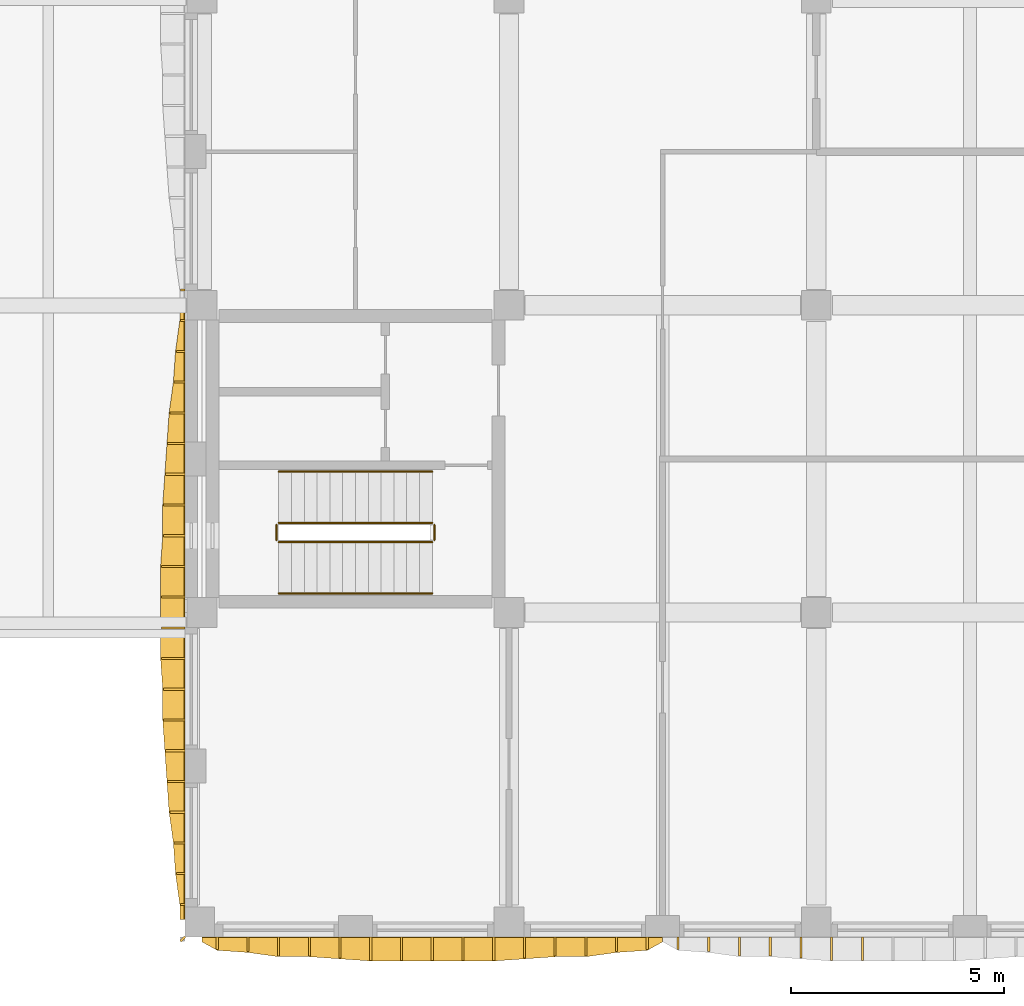
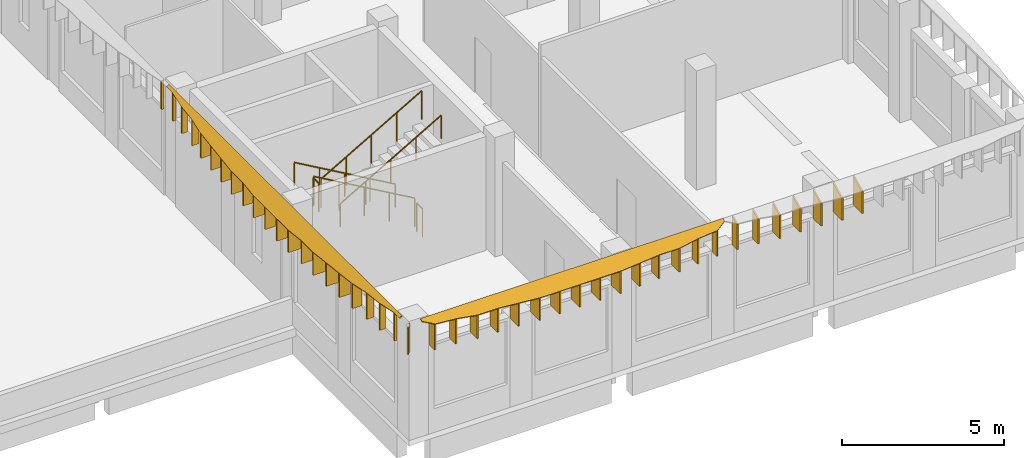
# One storey, part 24 of 44: 46 shading devices, 6 railings.
"""IFC4 building model written with IfcOpenShell, lengths in metres."""

from ifc_helpers import new_model, si_unit, direction, frame, origin, origin_2d, place, context, subcontext, project, spatial, polyline, circle, outline, extrude, material, layer, layer_set, type_object, element, save


model = new_model("IFC4")

# Units and contexts
model_context = context("Model", 3, precision=1e-05, world=origin(), true_north=direction((0.0, 1.0)))
body_context = subcontext(model_context, "Body", "Model", "MODEL_VIEW")
ifc_project = project(units=[si_unit("LENGTHUNIT", "METRE"), si_unit("AREAUNIT", "SQUARE_METRE"), si_unit("VOLUMEUNIT", "CUBIC_METRE"), si_unit("PLANEANGLEUNIT", "RADIAN"), si_unit("MASSUNIT", "GRAM", prefix="KILO")], contexts=[model_context])

# Site, building, storey
site_placement = place(None, origin())
site = spatial("IfcSite", under=ifc_project, at=site_placement, CompositionType="ELEMENT")
building_placement = place(site_placement, origin())
building = spatial("IfcBuilding", under=site, at=building_placement, Name="Ussher Court Research Institute", CompositionType="ELEMENT")
storey_placement = place(building_placement, frame((0.0, 0.0, 18.89990234375)))
storey = spatial("IfcBuildingStorey", under=building, at=storey_placement, Name="L04", CompositionType="ELEMENT", Elevation=18.89990234375)

# Shading devices
ifc_material_1 = material(Name="Bronze anodised aluminium", Category="aluminium")
ifc_layer_1 = layer(ifc_material_1, 0.050048828125)
ifc_layer_set_1 = layer_set([ifc_layer_1], Name="Bronze anodised aluminium")
shading_device_type_1 = type_object("IfcShadingDeviceType", Name="Brim blade 100 mm deep 1100 mm high canted 26 deg wet", PredefinedType="USERDEFINED", material=ifc_layer_set_1)
for number, where, z_axis, x_axis, name in (
    (1, (81.800048828125, 4.360107421875, 3.35009765625), (0.0, 0.0, 1.0), (-1.0, 0.0, 0.0), "Brim blade BS10 L04"),
    (2, (81.800048828125, 18.0400390625, 3.35009765625), (0.0, 0.0, 1.0), (-1.0, 0.0, 0.0), "Brim blade BS10 L04"),
    (3, (81.800048828125, 18.760009765625, 3.35009765625), (0.0, 0.0, 1.0), (-1.0, 0.0, 0.0), "Brim blade BS10 L04"),
):
    element("IfcShadingDevice", number, at=place(storey_placement, frame(where, z_axis=z_axis, x_axis=x_axis)), inside=storey, type_object=shading_device_type_1, Name=name, ObjectType="BLADE", PredefinedType="USERDEFINED", context=body_context, shape_type="SweptSolid", body=[
        extrude(outline(polyline([(0.0, 0.0), (0.10009765625, 0.0), (0.10009765625, 1.05126953125), (0.0, 1.10009765625), (0.0, 0.0)])), frame((0.0, 0.02490234375, 0.0), z_axis=(0.0, -1.0, 0.0), x_axis=(1.0, 0.0, 0.0)), (0.0, 0.0, 1.0), 0.050048828125),
    ])
ifc_material_2 = material(Name="Bronze anodised aluminium", Category="aluminium")
ifc_layer_2 = layer(ifc_material_2, 0.050048828125)
ifc_layer_set_2 = layer_set([ifc_layer_2], Name="Bronze anodised aluminium")
shading_device_type_2 = type_object("IfcShadingDeviceType", Name="Brim blade 200 mm deep 1100 mm high canted 26 deg wet", PredefinedType="USERDEFINED", material=ifc_layer_set_2)
for number, where, z_axis, x_axis, name in (
    (4, (81.800048828125, 5.080078125, 3.35009765625), (0.0, 0.0, 1.0), (-1.0, 0.0, 0.0), "Brim blade BS08 L04"),
    (5, (81.800048828125, 17.320068359375, 3.35009765625), (0.0, 0.0, 1.0), (-1.0, 0.0, 0.0), "Brim blade BS08 L04"),
):
    element("IfcShadingDevice", number, at=place(storey_placement, frame(where, z_axis=z_axis, x_axis=x_axis)), inside=storey, type_object=shading_device_type_2, Name=name, ObjectType="BLADE", PredefinedType="USERDEFINED", context=body_context, shape_type="SweptSolid", body=[
        extrude(outline(polyline([(0.0, 0.0), (0.199951171875, 0.0), (0.199951171875, 1.00244140625), (0.0, 1.10009765625), (0.0, 0.0)])), frame((0.0, 0.02490234375, 0.0), z_axis=(0.0, -1.0, 0.0), x_axis=(1.0, 0.0, 0.0)), (0.0, 0.0, 1.0), 0.050048828125),
    ])
ifc_material_3 = material(Name="Bronze anodised aluminium", Category="aluminium")
ifc_layer_3 = layer(ifc_material_3, 0.050048828125)
ifc_layer_set_3 = layer_set([ifc_layer_3], Name="Bronze anodised aluminium")
shading_device_type_3 = type_object("IfcShadingDeviceType", Name="Brim blade 250 mm deep 1100 mm high canted 26 deg wet", PredefinedType="USERDEFINED", material=ifc_layer_set_3)
for number, where, z_axis, x_axis, name in (
    (6, (81.800048828125, 5.800048828125, 3.35009765625), (0.0, 0.0, 1.0), (-1.0, 0.0, 0.0), "Brim blade BS07 L04"),
    (7, (81.800048828125, 16.60009765625, 3.35009765625), (0.0, 0.0, 1.0), (-1.0, 0.0, 0.0), "Brim blade BS07 L04"),
):
    element("IfcShadingDevice", number, at=place(storey_placement, frame(where, z_axis=z_axis, x_axis=x_axis)), inside=storey, type_object=shading_device_type_3, Name=name, ObjectType="BLADE", PredefinedType="USERDEFINED", context=body_context, shape_type="SweptSolid", body=[
        extrude(outline(polyline([(0.0, 0.0), (0.25, 0.0), (0.25, 0.97802734375), (0.0, 1.10009765625), (0.0, 0.0)])), frame((0.0, 0.02490234375, 0.0), z_axis=(0.0, -1.0, 0.0), x_axis=(1.0, 0.0, 0.0)), (0.0, 0.0, 1.0), 0.050048828125),
    ])
ifc_material_4 = material(Name="Bronze anodised aluminium", Category="aluminium")
ifc_layer_4 = layer(ifc_material_4, 0.050048828125)
ifc_layer_set_4 = layer_set([ifc_layer_4], Name="Bronze anodised aluminium")
shading_device_type_4 = type_object("IfcShadingDeviceType", Name="Brim blade 300 mm deep 1100 mm high canted 26 deg wet", PredefinedType="USERDEFINED", material=ifc_layer_set_4)
for number, where, z_axis, x_axis, name in (
    (8, (93.360107421875, 3.60009765625, 3.35009765625), (0.0, 0.0, 1.0), (0.0, -1.0, 0.0), "Brim blade BS06 L04"),
    (9, (92.639892578125, 3.60009765625, 3.35009765625), (0.0, 0.0, 1.0), (0.0, -1.0, 0.0), "Brim blade BS06 L04"),
    (10, (82.56005859375, 3.60009765625, 3.35009765625), (0.0, 0.0, 1.0), (0.0, -1.0, 0.0), "Brim blade BS06 L04"),
):
    element("IfcShadingDevice", number, at=place(storey_placement, frame(where, z_axis=z_axis, x_axis=x_axis)), inside=storey, type_object=shading_device_type_4, Name=name, ObjectType="BLADE", PredefinedType="USERDEFINED", context=body_context, shape_type="SweptSolid", body=[
        extrude(outline(polyline([(0.0, 0.0), (0.300048828125, 0.0), (0.300048828125, 0.95361328125), (0.0, 1.10009765625), (0.0, 0.0)])), frame((0.0, 0.02490234375, 0.0), z_axis=(0.0, -1.0, 0.0), x_axis=(1.0, 0.0, 0.0)), (0.0, 0.0, 1.0), 0.050048828125),
    ])
ifc_material_5 = material(Name="Bronze anodised aluminium", Category="aluminium")
ifc_layer_5 = layer(ifc_material_5, 0.050048828125)
ifc_layer_set_5 = layer_set([ifc_layer_5], Name="Bronze anodised aluminium")
shading_device_type_5 = type_object("IfcShadingDeviceType", Name="Brim blade 350 mm deep 1100 mm high canted 26 deg wet", PredefinedType="USERDEFINED", material=ifc_layer_set_5)
for number, where, z_axis, x_axis, name in (
    (11, (94.080078125, 3.60009765625, 3.35009765625), (0.0, 0.0, 1.0), (0.0, -1.0, 0.0), "Brim blade BS05 L04"),
    (12, (91.919921875, 3.60009765625, 3.35009765625), (0.0, 0.0, 1.0), (0.0, -1.0, 0.0), "Brim blade BS05 L04"),
    (13, (83.280029296875, 3.60009765625, 3.35009765625), (0.0, 0.0, 1.0), (0.0, -1.0, 0.0), "Brim blade BS05 L04"),
    (14, (81.800048828125, 6.52001953125, 3.35009765625), (0.0, 0.0, 1.0), (-1.0, 0.0, 0.0), "Brim blade BS05 L04"),
    (15, (81.800048828125, 15.8798828125, 3.35009765625), (0.0, 0.0, 1.0), (-1.0, 0.0, 0.0), "Brim blade BS05 L04"),
):
    element("IfcShadingDevice", number, at=place(storey_placement, frame(where, z_axis=z_axis, x_axis=x_axis)), inside=storey, type_object=shading_device_type_5, Name=name, ObjectType="BLADE", PredefinedType="USERDEFINED", context=body_context, shape_type="SweptSolid", body=[
        extrude(outline(polyline([(0.0, 0.0), (0.35009765625, 0.0), (0.35009765625, 0.92919921875), (0.0, 1.10009765625), (0.0, 0.0)])), frame((0.0, 0.02490234375, 0.0), z_axis=(0.0, -1.0, 0.0), x_axis=(1.0, 0.0, 0.0)), (0.0, 0.0, 1.0), 0.050048828125),
    ])
ifc_material_6 = material(Name="Bronze anodised aluminium", Category="aluminium")
ifc_layer_6 = layer(ifc_material_6, 0.050048828125)
ifc_layer_set_6 = layer_set([ifc_layer_6], Name="Bronze anodised aluminium")
shading_device_type_6 = type_object("IfcShadingDeviceType", Name="Brim blade 400 mm deep 1100 mm high canted 26 deg wet", PredefinedType="USERDEFINED", material=ifc_layer_set_6)
for number, where, z_axis, x_axis, name in (
    (16, (81.800048828125, 7.239990234375, 3.35009765625), (0.0, 0.0, 1.0), (-1.0, 0.0, 0.0), "Brim blade BS04 L04"),
    (17, (81.800048828125, 15.159912109375, 3.35009765625), (0.0, 0.0, 1.0), (-1.0, 0.0, 0.0), "Brim blade BS04 L04"),
):
    element("IfcShadingDevice", number, at=place(storey_placement, frame(where, z_axis=z_axis, x_axis=x_axis)), inside=storey, type_object=shading_device_type_6, Name=name, ObjectType="BLADE", PredefinedType="USERDEFINED", context=body_context, shape_type="SweptSolid", body=[
        extrude(outline(polyline([(0.0, 0.0), (0.400146484375, 0.0), (0.39990234375, 0.90478515625), (0.0, 1.10009765625), (0.0, 0.0)])), frame((0.0, 0.02490234375, 0.0), z_axis=(0.0, -1.0, 0.0), x_axis=(1.0, 0.0, 0.0)), (0.0, 0.0, 1.0), 0.050048828125),
    ])
ifc_material_7 = material(Name="Bronze anodised aluminium", Category="aluminium")
ifc_layer_7 = layer(ifc_material_7, 0.050048828125)
ifc_layer_set_7 = layer_set([ifc_layer_7], Name="Bronze anodised aluminium")
shading_device_type_7 = type_object("IfcShadingDeviceType", Name="Brim blade 450 mm deep 1100 mm high canted 26 deg wet", PredefinedType="USERDEFINED", material=ifc_layer_set_7)
for number, where, z_axis, x_axis, name in (
    (18, (95.52001953125, 3.60009765625, 3.35009765625), (0.0, 0.0, 1.0), (0.0, -1.0, 0.0), "Brim blade BS03 L04"),
    (19, (94.800048828125, 3.60009765625, 3.35009765625), (0.0, 0.0, 1.0), (0.0, -1.0, 0.0), "Brim blade BS03 L04"),
    (20, (91.199951171875, 3.60009765625, 3.35009765625), (0.0, 0.0, 1.0), (0.0, -1.0, 0.0), "Brim blade BS03 L04"),
    (21, (90.47998046875, 3.60009765625, 3.35009765625), (0.0, 0.0, 1.0), (0.0, -1.0, 0.0), "Brim blade BS03 L04"),
    (22, (84.719970703125, 3.60009765625, 3.35009765625), (0.0, 0.0, 1.0), (0.0, -1.0, 0.0), "Brim blade BS03 L04"),
    (23, (84.0, 3.60009765625, 3.35009765625), (0.0, 0.0, 1.0), (0.0, -1.0, 0.0), "Brim blade BS03 L04"),
):
    element("IfcShadingDevice", number, at=place(storey_placement, frame(where, z_axis=z_axis, x_axis=x_axis)), inside=storey, type_object=shading_device_type_7, Name=name, ObjectType="BLADE", PredefinedType="USERDEFINED", context=body_context, shape_type="SweptSolid", body=[
        extrude(outline(polyline([(0.0, 0.0), (0.4501953125, 0.0), (0.449951171875, 0.880615234375), (0.0, 1.10009765625), (0.0, 0.0)])), frame((0.0, 0.02490234375, 0.0), z_axis=(0.0, -1.0, 0.0), x_axis=(1.0, 0.0, 0.0)), (0.0, 0.0, 1.0), 0.050048828125),
    ])
for number, where, z_axis, x_axis, name in (
    (24, (81.800048828125, 7.9599609375, 3.35009765625), (0.0, 0.0, 1.0), (-1.0, 0.0, 0.0), "Brim blade BS03 L04"),
    (25, (81.800048828125, 14.43994140625, 3.35009765625), (0.0, 0.0, 1.0), (-1.0, 0.0, 0.0), "Brim blade BS03 L04"),
):
    element("IfcShadingDevice", number, at=place(storey_placement, frame(where, z_axis=z_axis, x_axis=x_axis)), inside=storey, type_object=shading_device_type_7, Name=name, ObjectType="BLADE", PredefinedType="USERDEFINED", context=body_context, shape_type="SweptSolid", body=[
        extrude(outline(polyline([(0.0, 0.0), (0.449951171875, 0.0), (0.449951171875, 0.880615234375), (0.0, 1.10009765625), (0.0, 0.0)])), frame((0.0, 0.02490234375, 0.0), z_axis=(0.0, -1.0, 0.0), x_axis=(1.0, 0.0, 0.0)), (0.0, 0.0, 1.0), 0.050048828125),
    ])
ifc_material_8 = material(Name="Bronze anodised aluminium", Category="aluminium")
ifc_layer_8 = layer(ifc_material_8, 0.050048828125)
ifc_layer_set_8 = layer_set([ifc_layer_8], Name="Bronze anodised aluminium")
shading_device_type_8 = type_object("IfcShadingDeviceType", Name="Brim blade 500 mm deep 1100 mm high canted 26 deg wet", PredefinedType="USERDEFINED", material=ifc_layer_set_8)
for number, where, z_axis, x_axis, name in (
    (26, (96.239990234375, 3.60009765625, 3.35009765625), (0.0, 0.0, 1.0), (0.0, -1.0, 0.0), "Brim blade BS02 L04"),
    (27, (89.760009765625, 3.60009765625, 3.35009765625), (0.0, 0.0, 1.0), (0.0, -1.0, 0.0), "Brim blade BS02 L04"),
    (28, (85.43994140625, 3.60009765625, 3.35009765625), (0.0, 0.0, 1.0), (0.0, -1.0, 0.0), "Brim blade BS02 L04"),
    (29, (81.800048828125, 8.679931640625, 3.35009765625), (0.0, 0.0, 1.0), (-1.0, 0.0, 0.0), "Brim blade BS02 L04"),
    (30, (81.800048828125, 9.39990234375, 3.35009765625), (0.0, 0.0, 1.0), (-1.0, 0.0, 0.0), "Brim blade BS02 L04"),
    (31, (81.800048828125, 13.0, 3.35009765625), (0.0, 0.0, 1.0), (-1.0, 0.0, 0.0), "Brim blade BS02 L04"),
    (32, (81.800048828125, 13.719970703125, 3.35009765625), (0.0, 0.0, 1.0), (-1.0, 0.0, 0.0), "Brim blade BS02 L04"),
):
    element("IfcShadingDevice", number, at=place(storey_placement, frame(where, z_axis=z_axis, x_axis=x_axis)), inside=storey, type_object=shading_device_type_8, Name=name, ObjectType="BLADE", PredefinedType="USERDEFINED", context=body_context, shape_type="SweptSolid", body=[
        extrude(outline(polyline([(0.0, 0.0), (0.5, 0.0), (0.5, 0.856201171875), (0.0, 1.10009765625), (0.0, 0.0)])), frame((0.0, 0.02490234375, 0.0), z_axis=(0.0, -1.0, 0.0), x_axis=(1.0, 0.0, 0.0)), (0.0, 0.0, 1.0), 0.050048828125),
    ])
ifc_material_9 = material(Name="Bronze anodised aluminium", Category="aluminium")
ifc_layer_9 = layer(ifc_material_9, 0.050048828125)
ifc_layer_set_9 = layer_set([ifc_layer_9], Name="Bronze anodised aluminium")
shading_device_type_9 = type_object("IfcShadingDeviceType", Name="Brim blade 550 mm deep 1100 mm high canted 26 deg wet", PredefinedType="USERDEFINED", material=ifc_layer_set_9)
for number, where, z_axis, x_axis, name in (
    (33, (97.679931640625, 3.60009765625, 3.35009765625), (0.0, 0.0, 1.0), (0.0, -1.0, 0.0), "Brim blade BS01 L04"),
    (34, (96.9599609375, 3.60009765625, 3.35009765625), (0.0, 0.0, 1.0), (0.0, -1.0, 0.0), "Brim blade BS01 L04"),
    (35, (89.0400390625, 3.60009765625, 3.35009765625), (0.0, 0.0, 1.0), (0.0, -1.0, 0.0), "Brim blade BS01 L04"),
    (36, (88.320068359375, 3.60009765625, 3.35009765625), (0.0, 0.0, 1.0), (0.0, -1.0, 0.0), "Brim blade BS01 L04"),
    (37, (87.60009765625, 3.60009765625, 3.35009765625), (0.0, 0.0, 1.0), (0.0, -1.0, 0.0), "Brim blade BS01 L04"),
    (38, (86.8798828125, 3.60009765625, 3.35009765625), (0.0, 0.0, 1.0), (0.0, -1.0, 0.0), "Brim blade BS01 L04"),
    (39, (86.159912109375, 3.60009765625, 3.35009765625), (0.0, 0.0, 1.0), (0.0, -1.0, 0.0), "Brim blade BS01 L04"),
    (40, (81.800048828125, 10.1201171875, 3.35009765625), (0.0, 0.0, 1.0), (-1.0, 0.0, 0.0), "Brim blade BS01 L04"),
    (41, (81.800048828125, 10.840087890625, 3.35009765625), (0.0, 0.0, 1.0), (-1.0, 0.0, 0.0), "Brim blade BS01 L04"),
    (42, (81.800048828125, 11.56005859375, 3.35009765625), (0.0, 0.0, 1.0), (-1.0, 0.0, 0.0), "Brim blade BS01 L04"),
    (43, (81.800048828125, 12.280029296875, 3.35009765625), (0.0, 0.0, 1.0), (-1.0, 0.0, 0.0), "Brim blade BS01 L04"),
):
    element("IfcShadingDevice", number, at=place(storey_placement, frame(where, z_axis=z_axis, x_axis=x_axis)), inside=storey, type_object=shading_device_type_9, Name=name, ObjectType="BLADE", PredefinedType="USERDEFINED", context=body_context, shape_type="SweptSolid", body=[
        extrude(outline(polyline([(0.0, 0.0), (0.550048828125, 0.0), (0.550048828125, 0.831787109375), (0.0, 1.10009765625), (0.0, 0.0)])), frame((0.0, 0.02490234375, 0.0), z_axis=(0.0, -1.0, 0.0), x_axis=(1.0, 0.0, 0.0)), (0.0, 0.0, 1.0), 0.050048828125),
    ])
ifc_material_10 = material(Name="Bronze anodised aluminium", Category="aluminium")
ifc_layer_10 = layer(ifc_material_10, 0.050048828125)
ifc_layer_set_10 = layer_set([ifc_layer_10], Name="Bronze anodised aluminium")
shading_device_type_10 = type_object("IfcShadingDeviceType", Name="Brim mitre blade 100 mm deep 1100 mm high canted 26 deg wet", PredefinedType="USERDEFINED", material=ifc_layer_set_10)
shading_device_1_placement = place(storey_placement, frame((81.800048828125, 3.60009765625, 3.35009765625), z_axis=(0.0, 0.0, 1.0), x_axis=(-0.707106781187, -0.707106781187, 0.0)))
element("IfcShadingDevice", 44, at=shading_device_1_placement, inside=storey, type_object=shading_device_type_10, Name="Brim mitre blade BS18 L04", ObjectType="BLADE", PredefinedType="USERDEFINED", context=body_context, shape_type="SweptSolid", body=[
    extrude(outline(polyline([(0.0, 0.0), (0.1416015625, 0.0), (0.141357421875, 1.00244140625), (0.0, 1.10009765625), (0.0, 0.0)])), frame((0.0, 0.02490234375, 0.0), z_axis=(0.0, -1.0, 0.0), x_axis=(1.0, 0.0, 0.0)), (0.0, 0.0, 1.0), 0.050048828125),
])
ifc_material_11 = material(Name="Bronze anodised aluminium", Category="aluminium")
ifc_layer_11 = layer(ifc_material_11, 0.0400390625)
ifc_layer_set_11 = layer_set([ifc_layer_11], Name="Bronze anodised aluminium")
shading_device_type_11 = type_object("IfcShadingDeviceType", Name="Brim visor sheet 40 mm canted 26 deg wet", PredefinedType="USERDEFINED", material=ifc_layer_set_11)
shading_device_2_placement = place(storey_placement, frame((93.0, 3.58251953125, 4.486083984375), z_axis=(0.0, -0.438461416816, 0.898750013054), x_axis=(-1.0, 0.0, 0.0)))
element("IfcShadingDevice", 45, at=shading_device_2_placement, inside=storey, type_object=shading_device_type_11, Name="Brim visor sheet BR1 L04", ObjectType="BRIM", PredefinedType="USERDEFINED", context=body_context, shape_type="SweptSolid", body=[
    extrude(outline(polyline([(0.0, 0.0), (10.800048828125, 0.0), (10.800048828125, 0.1113720187292832), (10.43994140625, 0.33389663479794396), (9.719970703125, 0.38958264416258553), (9.0, 0.5006281952576233), (8.280029296875, 0.5006281952576233), (7.56005859375, 0.5563142046222649), (6.840087890625, 0.6120002139869065), (6.1201171875, 0.6120002139869065), (5.39990234375, 0.6120002139869065), (4.679931640625, 0.6120002139869065), (3.9599609375, 0.6120002139869065), (3.239990234375, 0.5563142046222649), (2.52001953125, 0.5006281952576233), (1.800048828125, 0.5006281952576233), (1.080078125, 0.38958264416258553), (0.360107421875, 0.33389663479794396), (0.0, 0.1113720187292832), (0.0, 0.0)])), origin(), (0.0, 0.0, -1.0), 0.0400390625),
])
shading_device_3_placement = place(storey_placement, frame((81.782470703125, 4.0, 4.486083984375), z_axis=(-0.438529187419, 0.0, 0.898716947532), x_axis=(0.0, 1.0, 0.0)))
element("IfcShadingDevice", 46, at=shading_device_3_placement, inside=storey, type_object=shading_device_type_11, Name="Brim visor sheet BR1 L04", ObjectType="BRIM", PredefinedType="USERDEFINED", context=body_context, shape_type="SweptSolid", body=[
    extrude(outline(polyline([(0.0, 0.0), (14.39990234375, 0.0), (14.39990234375, 0.11115260474230423), (14.0400390625, 0.11115260474230423), (13.320068359375, 0.22252462280187707), (12.60009765625, 0.2782106318316635), (11.8798828125, 0.38936323657396776), (11.159912109375, 0.4449421828138569), (10.43994140625, 0.5006281918436433), (9.719970703125, 0.5563142008734296), (9.0, 0.5563142008734296), (8.280029296875, 0.6120002099032161), (7.56005859375, 0.6120002099032161), (6.840087890625, 0.6120002099032161), (6.1201171875, 0.6120002099032161), (5.39990234375, 0.5563142008734296), (4.679931640625, 0.5563142008734296), (3.9599609375, 0.5006281918436433), (3.239990234375, 0.4449421828138569), (2.52001953125, 0.38936323657396776), (1.800048828125, 0.2782106318316635), (1.080078125, 0.22252462280187707), (0.360107421875, 0.11115260474230423), (0.0, 0.11115260474230423), (0.0, 0.0)])), origin(), (0.0, 0.0, -1.0), 0.0400390625),
])

# Railings
ifc_material_12 = material(Name="Painted steel balustrade", Category="steel")
railing_type_1 = type_object("IfcRailingType", Name="Stair guard 1100 steel balustrade", PredefinedType="GUARDRAIL", material=ifc_material_12)
railing_1_placement = place(storey_placement, frame((87.60009765625, 13.300048828125, 0.173095703125)))
element("IfcRailing", 47, at=railing_1_placement, inside=storey, type_object=railing_type_1, Name="L04 T2 stair guard 1", PredefinedType="GUARDRAIL", context=body_context, shape_type="SweptSolid", body=[
    extrude(circle(Radius=0.02392578125, at=origin_2d()), frame((0.0, 0.0, 1.076171875), z_axis=(-0.866193409371, 0.0, 0.499708892819), x_axis=(0.0, -1.0, 0.0)), (0.0, 0.0, 1.0), 4.15625),
    extrude(circle(Radius=0.02099609375, at=origin_2d()), origin(), (0.0, 0.0, 1.0), 1.052001953125),
    extrude(circle(Radius=0.02099609375, at=origin_2d()), frame((-0.89990234375, 0.0, 0.519287109375)), (0.0, 0.0, 1.0), 1.052001953125),
    extrude(circle(Radius=0.02099609375, at=origin_2d()), frame((-1.800048828125, 0.0, 1.03857421875)), (0.0, 0.0, 1.0), 1.052001953125),
    extrude(circle(Radius=0.02099609375, at=origin_2d()), frame((-2.7001953125, 0.0, 1.5576171875)), (0.0, 0.0, 1.0), 1.052001953125),
    extrude(circle(Radius=0.02099609375, at=origin_2d()), frame((-3.60009765625, 0.0, 2.076904296875)), (0.0, 0.0, 1.0), 1.052001953125),
])
railing_2_placement = place(storey_placement, frame((83.949951171875, 13.25, 2.25)))
element("IfcRailing", 48, at=railing_2_placement, inside=storey, type_object=railing_type_1, Name="L04 T2 stair guard 2", PredefinedType="GUARDRAIL", context=body_context, shape_type="SweptSolid", body=[
    extrude(circle(Radius=0.02392578125, at=origin_2d()), frame((0.0, 0.0, 1.076171875), z_axis=(0.0, -1.0, 0.0), x_axis=(1.0, 0.0, 0.0)), (0.0, 0.0, 1.0), 0.35009765625),
    extrude(circle(Radius=0.02099609375, at=origin_2d()), origin(), (0.0, 0.0, 1.0), 1.052001953125),
    extrude(circle(Radius=0.02099609375, at=origin_2d()), frame((0.0, -0.35009765625, 0.0)), (0.0, 0.0, 1.0), 1.052001953125),
])
railing_3_placement = place(storey_placement, frame((84.0, 12.85009765625, 2.423095703125)))
element("IfcRailing", 49, at=railing_3_placement, inside=storey, type_object=railing_type_1, Name="L04 T2 stair guard 3", PredefinedType="GUARDRAIL", context=body_context, shape_type="SweptSolid", body=[
    extrude(circle(Radius=0.02392578125, at=origin_2d()), frame((0.0, 0.0, 1.076171875), z_axis=(0.866193409371, 0.0, 0.499708892819), x_axis=(0.0, 1.0, 0.0)), (0.0, 0.0, 1.0), 4.15625),
    extrude(circle(Radius=0.02099609375, at=origin_2d()), origin(), (0.0, 0.0, 1.0), 1.052001953125),
    extrude(circle(Radius=0.02099609375, at=origin_2d()), frame((0.89990234375, 0.0, 0.519287109375)), (0.0, 0.0, 1.0), 1.052001953125),
    extrude(circle(Radius=0.02099609375, at=origin_2d()), frame((1.800048828125, 0.0, 1.03857421875)), (0.0, 0.0, 1.0), 1.052001953125),
    extrude(circle(Radius=0.02099609375, at=origin_2d()), frame((2.7001953125, 0.0, 1.5576171875)), (0.0, 0.0, 1.0), 1.052001953125),
    extrude(circle(Radius=0.02099609375, at=origin_2d()), frame((3.60009765625, 0.0, 2.076904296875)), (0.0, 0.0, 1.0), 1.052001953125),
])
railing_4_placement = place(storey_placement, frame((87.64990234375, 13.25, 0.0)))
element("IfcRailing", 50, at=railing_4_placement, inside=storey, type_object=railing_type_1, Name="L04 T2 stair guard 4", PredefinedType="GUARDRAIL", context=body_context, shape_type="SweptSolid", body=[
    extrude(circle(Radius=0.02392578125, at=origin_2d()), frame((0.0, 0.0, 1.076171875), z_axis=(0.0, -1.0, 0.0), x_axis=(1.0, 0.0, 0.0)), (0.0, 0.0, 1.0), 0.35009765625),
    extrude(circle(Radius=0.02099609375, at=origin_2d()), origin(), (0.0, 0.0, 1.0), 1.052001953125),
    extrude(circle(Radius=0.02099609375, at=origin_2d()), frame((0.0, -0.35009765625, 0.0)), (0.0, 0.0, 1.0), 1.052001953125),
])
ifc_material_13 = material(Name="Painted steel handrail", Category="steel")
railing_type_2 = type_object("IfcRailingType", Name="Stair handrail 900 steel", PredefinedType="HANDRAIL", material=ifc_material_13)
railing_5_placement = place(storey_placement, frame((87.60009765625, 14.5, 0.173095703125)))
element("IfcRailing", 51, at=railing_5_placement, inside=storey, type_object=railing_type_2, Name="L04 T2 stair handrail 1", PredefinedType="HANDRAIL", context=body_context, shape_type="SweptSolid", body=[
    extrude(circle(Radius=0.02392578125, at=origin_2d()), frame((0.0, 0.0, 0.8759765625), z_axis=(-0.866193409371, 0.0, 0.499708892819), x_axis=(0.0, -1.0, 0.0)), (0.0, 0.0, 1.0), 4.15625),
    extrude(circle(Radius=0.02099609375, at=origin_2d()), origin(), (0.0, 0.0, 1.0), 0.851806640625),
    extrude(circle(Radius=0.02099609375, at=origin_2d()), frame((-0.89990234375, 0.0, 0.519287109375)), (0.0, 0.0, 1.0), 0.851806640625),
    extrude(circle(Radius=0.02099609375, at=origin_2d()), frame((-1.800048828125, 0.0, 1.03857421875)), (0.0, 0.0, 1.0), 0.851806640625),
    extrude(circle(Radius=0.02099609375, at=origin_2d()), frame((-2.7001953125, 0.0, 1.5576171875)), (0.0, 0.0, 1.0), 0.851806640625),
    extrude(circle(Radius=0.02099609375, at=origin_2d()), frame((-3.60009765625, 0.0, 2.076904296875)), (0.0, 0.0, 1.0), 0.851806640625),
])
railing_6_placement = place(storey_placement, frame((84.0, 11.64990234375, 2.423095703125)))
element("IfcRailing", 52, at=railing_6_placement, inside=storey, type_object=railing_type_2, Name="L04 T2 stair handrail 2", PredefinedType="HANDRAIL", context=body_context, shape_type="SweptSolid", body=[
    extrude(circle(Radius=0.02392578125, at=origin_2d()), frame((0.0, 0.0, 0.8759765625), z_axis=(0.866193409371, 0.0, 0.499708892819), x_axis=(0.0, 1.0, 0.0)), (0.0, 0.0, 1.0), 4.15625),
    extrude(circle(Radius=0.02099609375, at=origin_2d()), origin(), (0.0, 0.0, 1.0), 0.851806640625),
    extrude(circle(Radius=0.02099609375, at=origin_2d()), frame((0.89990234375, 0.0, 0.519287109375)), (0.0, 0.0, 1.0), 0.851806640625),
    extrude(circle(Radius=0.02099609375, at=origin_2d()), frame((1.800048828125, 0.0, 1.03857421875)), (0.0, 0.0, 1.0), 0.851806640625),
    extrude(circle(Radius=0.02099609375, at=origin_2d()), frame((2.7001953125, 0.0, 1.5576171875)), (0.0, 0.0, 1.0), 0.851806640625),
    extrude(circle(Radius=0.02099609375, at=origin_2d()), frame((3.60009765625, 0.0, 2.076904296875)), (0.0, 0.0, 1.0), 0.851806640625),
])

save(model, "model.ifc")
